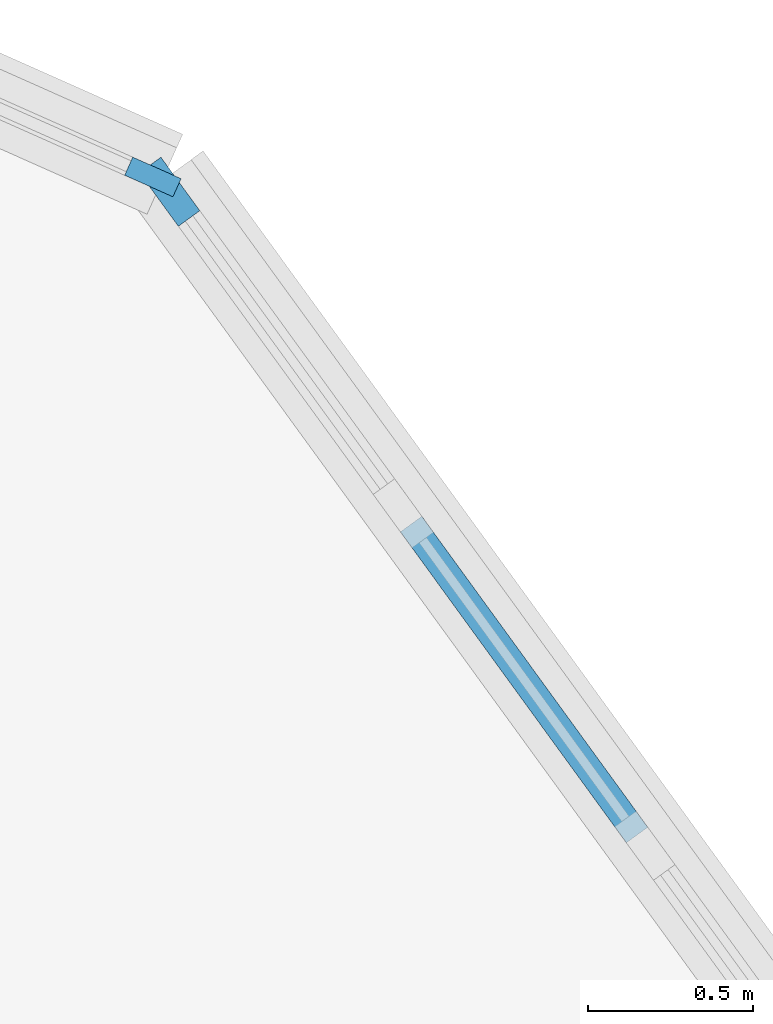
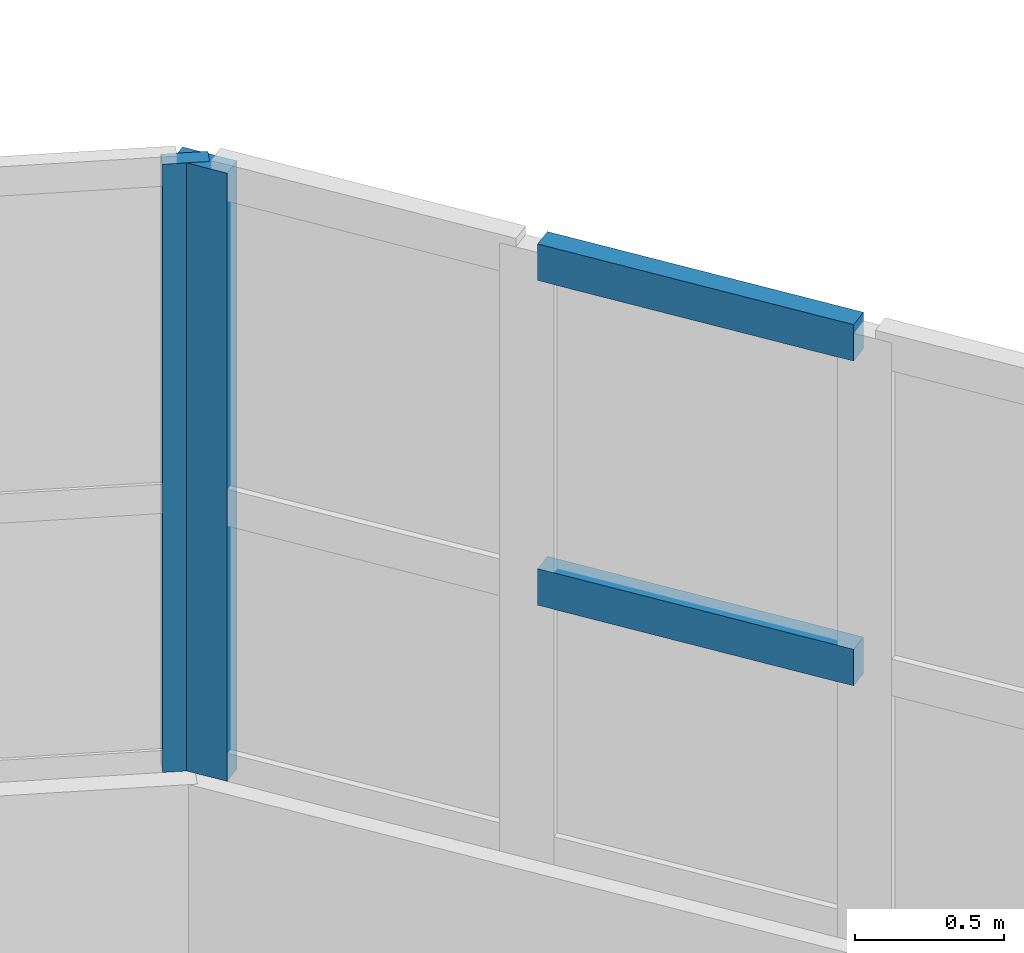
# One storey, part 24 of 60: 4 members, 2 elements without a shape of their own.
"""IFC4 building model written with IfcOpenShell, lengths in metres."""

import ifcopenshell
import ifcopenshell.guid

model = None  # the IFC model being written
_history = None  # IfcOwnerHistory: only IFC2X3 demands one
_inside = {}  # id of a spatial element -> (the spatial element, [elements in it])
_under = {}  # id of a project, library or spatial element -> (it, [spatial elements below it])
_declared = {}  # id of a project -> (the project, [libraries it declares])
_typed = {}  # id of a type object -> (the type object, [elements of that type])
_made_of = {}  # id of a material, layer set ... -> (it, [elements and type objects made of it])


def new_model(schema):
    """Start an empty IFC model of exactly this schema.

    Asked for "IFC4X3", IfcOpenShell would pick the latest addendum, in which some entities
    have other attributes; the version numbers below select the first issue.
    IFC2X3 requires an IfcOwnerHistory on every rooted entity: one is made here for all.
    """
    global model, _history
    if schema == "IFC4X3":
        model = ifcopenshell.file(schema_version=(4, 3, 0, 0))
    else:
        model = ifcopenshell.file(schema=schema)
    _inside.clear()
    _under.clear()
    _declared.clear()
    _typed.clear()
    _made_of.clear()
    _history = None
    if model.schema == "IFC2X3":
        org = make("IfcOrganization", Name="unknown")
        user = make(
            "IfcPersonAndOrganization",
            ThePerson=make("IfcPerson", FamilyName="unknown"),
            TheOrganization=org,
        )
        app = make(
            "IfcApplication",
            ApplicationDeveloper=org,
            Version="unknown",
            ApplicationFullName="unknown",
            ApplicationIdentifier="unknown",
        )
        _history = make(
            "IfcOwnerHistory",
            OwningUser=user,
            OwningApplication=app,
            ChangeAction="ADDED",
            CreationDate=0,
        )
    return model


def make(cls, **values):
    """One entity of the class cls with the attributes given. An attribute that is None is left unset."""
    return model.create_entity(
        cls, **{name: value for name, value in values.items() if value is not None}
    )


def rooted(cls, **values):
    """An entity with a GlobalId (a new one), such as an element, a storey or a relation."""
    return make(cls, GlobalId=ifcopenshell.guid.new(), OwnerHistory=_history, **values)


def si_unit(unit_type, name, prefix=None):
    """IfcSIUnit, for example si_unit("LENGTHUNIT", "METRE", prefix="MILLI")."""
    return make("IfcSIUnit", UnitType=unit_type, Prefix=prefix, Name=name)


def assignment(units):
    """IfcUnitAssignment: the units of a project."""
    return None if units is None else make("IfcUnitAssignment", Units=units)


def point(xyz):
    """IfcCartesianPoint."""
    return None if xyz is None else make("IfcCartesianPoint", Coordinates=xyz)


def direction(xyz):
    """IfcDirection."""
    return None if xyz is None else make("IfcDirection", DirectionRatios=xyz)


def frame(location, z_axis=None, x_axis=None):
    """IfcAxis2Placement3D, a coordinate frame: its origin and axes. An axis left out is left unset."""
    return make(
        "IfcAxis2Placement3D",
        Location=point(location),
        Axis=direction(z_axis),
        RefDirection=direction(x_axis),
    )


def frame_2d(location, x_axis=None):
    """IfcAxis2Placement2D, a coordinate frame in the plane: its origin and x axis."""
    return make(
        "IfcAxis2Placement2D", Location=point(location), RefDirection=direction(x_axis)
    )


def origin():
    """The frame at (0, 0, 0) with its axes left unset."""
    return frame((0.0, 0.0, 0.0))


def origin_2d():
    """The frame at (0, 0) in the plane with its x axis left unset."""
    return frame_2d((0.0, 0.0))


def place(relative_to, where):
    """IfcLocalPlacement: puts the frame where relative to a parent placement (None: the world)."""
    return make(
        "IfcLocalPlacement", PlacementRelTo=relative_to, RelativePlacement=where
    )


def context(
    kind, dimensions, precision=None, world=None, true_north=None, identifier=None
):
    """IfcGeometricRepresentationContext, for example the 3D "Model" context."""
    return make(
        "IfcGeometricRepresentationContext",
        ContextIdentifier=identifier,
        ContextType=kind,
        CoordinateSpaceDimension=dimensions,
        Precision=precision,
        WorldCoordinateSystem=world,
        TrueNorth=true_north,
    )


def subcontext(parent, identifier, kind, view, scale=None):
    """IfcGeometricRepresentationSubContext, for example "Body" below "Model"."""
    return make(
        "IfcGeometricRepresentationSubContext",
        ContextIdentifier=identifier,
        ContextType=kind,
        ParentContext=parent,
        TargetScale=scale,
        TargetView=view,
    )


def project(units=None, contexts=None):
    """IfcProject with its units and contexts."""
    return rooted(
        "IfcProject",
        Name="project",
        RepresentationContexts=contexts,
        UnitsInContext=assignment(units),
    )


def spatial(cls, under=None, at=None, **own):
    """A site, building, storey or space (cls), placed at a placement, below another one or the project."""
    s = rooted(cls, ObjectPlacement=at, **own)
    if under is not None:
        _under.setdefault(under.id(), (under, []))[1].append(s)
    return s


def profile(cls, at=None, kind="AREA", **sizes):
    """A parametric profile (cls). Its sizes go by their IFC names, for example OverallWidth=200.0."""
    return make(cls, ProfileType=kind, Position=at, **sizes)


def rectangle(**sizes):
    """IfcRectangleProfileDef."""
    return profile("IfcRectangleProfileDef", **sizes)


def extrude(swept, where, along, depth):
    """IfcExtrudedAreaSolid: the profile swept, set in the frame where, extruded along a direction by depth."""
    return make(
        "IfcExtrudedAreaSolid",
        SweptArea=swept,
        Position=where,
        ExtrudedDirection=direction(along),
        Depth=depth,
    )


def shape(context_of_items, identifier, shape_type, items):
    """IfcShapeRepresentation: the items that make up one representation, for example the "Body"."""
    return make(
        "IfcShapeRepresentation",
        ContextOfItems=context_of_items,
        RepresentationIdentifier=identifier,
        RepresentationType=shape_type,
        Items=items,
    )


def material(Name=None, Category=None):
    """IfcMaterial."""
    return make("IfcMaterial", Name=Name, Category=Category)


def layer(
    of_material, thickness, ventilated=None, Name=None, Category=None, Priority=None
):
    """IfcMaterialLayer: one layer of a wall or slab, of a material (None: an air gap)."""
    return make(
        "IfcMaterialLayer",
        Material=of_material,
        LayerThickness=thickness,
        IsVentilated=ventilated,
        Name=Name,
        Category=Category,
        Priority=Priority,
    )


def layer_set(layers, Name=None):
    """IfcMaterialLayerSet."""
    return make("IfcMaterialLayerSet", MaterialLayers=layers, LayerSetName=Name)


def material_profile(
    of_material, cross_section, Name=None, Category=None, Priority=None
):
    """IfcMaterialProfile: a cross section and its material."""
    return make(
        "IfcMaterialProfile",
        Name=Name,
        Material=of_material,
        Profile=cross_section,
        Priority=Priority,
        Category=Category,
    )


def profile_set(profiles, Name=None, composite=None):
    """IfcMaterialProfileSet."""
    return make(
        "IfcMaterialProfileSet",
        Name=Name,
        MaterialProfiles=profiles,
        CompositeProfile=composite,
    )


def made_of(thing, what):
    """Note that an element or type object is made of a material, layer set ...; save() writes the relation."""
    if what is not None:
        _made_of.setdefault(what.id(), (what, []))[1].append(thing)
    return thing


def type_object(cls, material=None, **own):
    """A type object (cls), such as IfcWallType, which elements share."""
    return made_of(rooted(cls, **own), material)


def element(
    cls,
    number,
    at=None,
    inside=None,
    cuts=None,
    type_object=None,
    material=None,
    context=None,
    identifier="Body",
    shape_type=None,
    held_by="IfcProductDefinitionShape",
    body=None,
    shapes=None,
    **own,
):
    """One element of the class cls, such as IfcWall. Its Tag is "e" and its number.

    at: its placement. inside: the storey or other place that contains it. cuts: it is an
    opening in that element (IfcRelVoidsElement). A single representation is given by context,
    identifier, shape_type and body (its items); several are given by shapes. held_by: the class
    of the entity that holds the representations. save() writes the other relations.
    """
    e = rooted(cls, Tag="e%d" % number, ObjectPlacement=at, **own)
    if body is not None:
        shapes = [shape(context, identifier, shape_type, body)]
    if shapes is not None:
        e.Representation = make(held_by, Representations=shapes)
    if inside is not None:
        _inside.setdefault(inside.id(), (inside, []))[1].append(e)
    if cuts is not None:
        rooted(
            "IfcRelVoidsElement", RelatingBuildingElement=cuts, RelatedOpeningElement=e
        )
    if type_object is not None:
        _typed.setdefault(type_object.id(), (type_object, []))[1].append(e)
    return made_of(e, material)


def aggregate(whole, parts):
    """IfcRelAggregates: a whole, such as a stair, and the parts it consists of."""
    return rooted("IfcRelAggregates", RelatingObject=whole, RelatedObjects=parts)


def save(model, path):
    """Write the relations noted so far, then the file.

    IfcRelAggregates (storeys below a building ...), IfcRelContainedInSpatialStructure (elements
    in a storey), IfcRelDefinesByType, IfcRelAssociatesMaterial and IfcRelDeclares: one each for
    every whole, place, type object, material and project.
    """
    for whole, parts in _under.values():
        aggregate(whole, parts)
    for where, things in _inside.values():
        rooted(
            "IfcRelContainedInSpatialStructure",
            RelatedElements=things,
            RelatingStructure=where,
        )
    for kind, things in _typed.values():
        rooted("IfcRelDefinesByType", RelatedObjects=things, RelatingType=kind)
    for what, things in _made_of.values():
        rooted("IfcRelAssociatesMaterial", RelatedObjects=things, RelatingMaterial=what)
    for by, libraries in _declared.values():
        rooted("IfcRelDeclares", RelatingContext=by, RelatedDefinitions=libraries)
    model.write(path)


model = new_model("IFC4")

# Units and contexts
model_context = context("Model", 3, precision=1e-05, world=origin(), true_north=direction((0.0, 1.0)))
body_context = subcontext(model_context, "Body", "Model", "MODEL_VIEW")
ifc_project = project(units=[si_unit("LENGTHUNIT", "METRE"), si_unit("AREAUNIT", "SQUARE_METRE"), si_unit("VOLUMEUNIT", "CUBIC_METRE"), si_unit("PLANEANGLEUNIT", "RADIAN"), si_unit("MASSUNIT", "GRAM", prefix="KILO")], contexts=[model_context])

# Site, building, storey
site_placement = place(None, origin())
site = spatial("IfcSite", under=ifc_project, at=site_placement, CompositionType="ELEMENT")
building_placement = place(site_placement, origin())
building = spatial("IfcBuilding", under=site, at=building_placement, Name="Tarnwether General Hospital", CompositionType="ELEMENT")
storey_placement = place(building_placement, frame((0.0, 0.0, 26.10009765625)))
storey = spatial("IfcBuildingStorey", under=building, at=storey_placement, Name="L06", CompositionType="ELEMENT", Elevation=26.10009765625)

# Curtain wall, member
ifc_material_1 = material(Name="Anodised aluminium", Category="aluminium")
ifc_layer = layer(ifc_material_1, 0.159912109375)
ifc_layer_set = layer_set([ifc_layer], Name="Anodised aluminium")
curtain_wall_type = type_object("IfcCurtainWallType", Name="CW-03", PredefinedType="NOTDEFINED", material=ifc_layer_set)
curtain_wall_1_placement = place(storey_placement, origin())
curtain_wall_1 = element("IfcCurtainWall", 1, at=curtain_wall_1_placement, inside=storey, type_object=curtain_wall_type, Name="Curtain Wall CWG-L06-1121_239-0257", PredefinedType="NOTDEFINED")
ifc_material_2 = material(Name="Anodised aluminium", Category="aluminium")
ifc_material_profile_1 = material_profile(ifc_material_2, rectangle(XDim=0.06005859375, YDim=0.159912109375, at=origin_2d()), Name="ALU-MUL-60x160")
ifc_profile_set_1 = profile_set([ifc_material_profile_1], Name="Anodised aluminium")
member_type_1 = type_object("IfcMemberType", Name="CW-ML1", PredefinedType="MULLION", material=ifc_profile_set_1)
member_1_placement = place(storey_placement, frame((116.649658203125, 21.92626953125, 1.0498046875), z_axis=(0.0, 0.0, 1.0), x_axis=(0.406847766484, 0.913495974215, 0.0)))
member_1 = element("IfcMember", 2, at=member_1_placement, type_object=member_type_1, Name="CW-03 mullion 5", PredefinedType="MULLION", context=body_context, shape_type="SweptSolid", body=[
    extrude(rectangle(XDim=0.06005859375, YDim=0.159912109375, at=origin_2d()), origin(), (0.0, 0.0, 1.0), 2.4951171875),
])
aggregate(curtain_wall_1, [member_1])

# Curtain wall, members
curtain_wall_2_placement = place(storey_placement, origin())
curtain_wall_2 = element("IfcCurtainWall", 3, at=curtain_wall_2_placement, inside=storey, type_object=curtain_wall_type, Name="Curtain Wall CWG-L06-1167_219-0256", PredefinedType="NOTDEFINED")
ifc_material_3 = material(Name="Anodised aluminium", Category="aluminium")
ifc_material_profile_2 = material_profile(ifc_material_3, rectangle(XDim=0.080078125, YDim=0.199951171875, at=origin_2d()), Name="ALU-MUL-80x200")
ifc_profile_set_2 = profile_set([ifc_material_profile_2], Name="Anodised aluminium")
member_type_2 = type_object("IfcMemberType", Name="CW-ML4", PredefinedType="MULLION", material=ifc_profile_set_2)
member_2_placement = place(storey_placement, frame((116.700439453125, 21.881591796875, 1.0498046875), z_axis=(0.0, 0.0, 1.0), x_axis=(0.808988376814, 0.587824638969, 0.0)))
member_2 = element("IfcMember", 4, at=member_2_placement, type_object=member_type_2, Name="CW-03 mullion 1", PredefinedType="MULLION", context=body_context, shape_type="SweptSolid", body=[
    extrude(rectangle(XDim=0.080078125, YDim=0.199951171875, at=origin_2d()), origin(), (0.0, 0.0, 1.0), 2.4951171875),
])
ifc_material_4 = material(Name="Anodised aluminium", Category="aluminium")
ifc_material_profile_3 = material_profile(ifc_material_4, rectangle(XDim=0.080078125, YDim=0.14990234375, at=origin_2d()), Name="ALU-TRN-80x150")
ifc_profile_set_3 = profile_set([ifc_material_profile_3], Name="Anodised aluminium")
member_type_3 = type_object("IfcMemberType", Name="CW-TR4", PredefinedType="USERDEFINED", material=ifc_profile_set_3)
member_3_placement = place(storey_placement, frame((117.4306640625, 20.876708984375, 2.172607421875), z_axis=(0.587834485911, -0.808981221768, 0.0), x_axis=(0.808981221768, 0.587834485911, 0.0)))
member_3 = element("IfcMember", 5, at=member_3_placement, type_object=member_type_3, Name="CW-03 transom 2.2", ObjectType="TRANSOM", PredefinedType="USERDEFINED", context=body_context, shape_type="SweptSolid", body=[
    extrude(rectangle(XDim=0.080078125, YDim=0.14990234375, at=origin_2d()), origin(), (0.0, 0.0, 1.0), 1.16259765625),
])
member_4_placement = place(storey_placement, frame((117.4306640625, 20.876708984375, 3.5048828125), z_axis=(0.587834485911, -0.808981221768, 0.0), x_axis=(0.808981221768, 0.587834485911, 0.0)))
member_4 = element("IfcMember", 6, at=member_4_placement, type_object=member_type_3, Name="CW-03 transom 2.3", ObjectType="TRANSOM", PredefinedType="USERDEFINED", context=body_context, shape_type="SweptSolid", body=[
    extrude(rectangle(XDim=0.080078125, YDim=0.14990234375, at=origin_2d()), origin(), (0.0, 0.0, 1.0), 1.16259765625),
])
aggregate(curtain_wall_2, [member_2, member_3, member_4])

save(model, "model.ifc")
